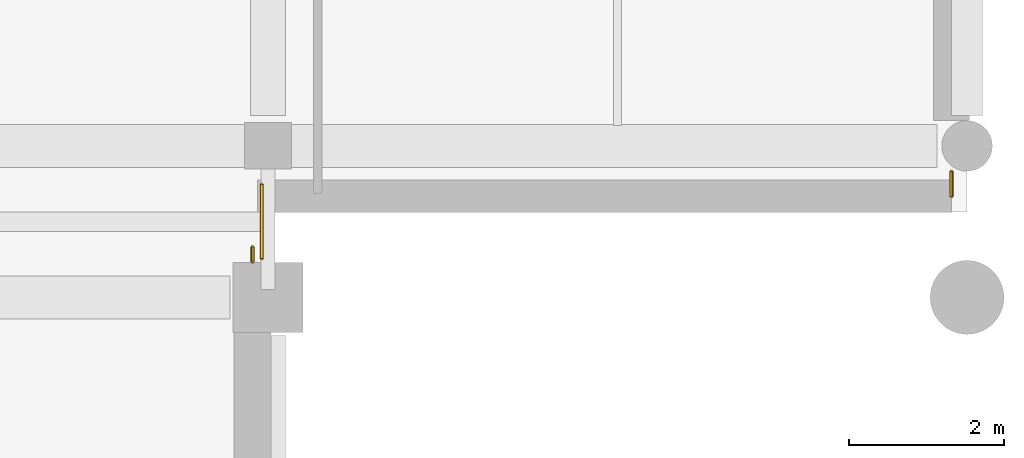
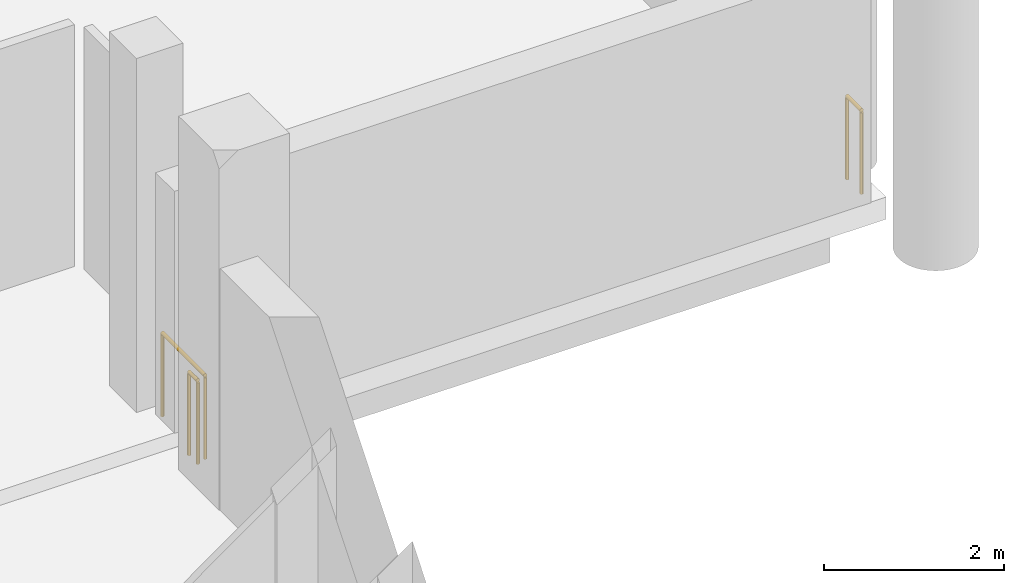
# One storey, part 95 of 100: 3 railings.
"""IFC4 building model written with IfcOpenShell, lengths in metres."""

from ifc_helpers import new_model, si_unit, direction, frame, origin, origin_2d, place, context, subcontext, project, spatial, circle, extrude, material, type_object, element, save


model = new_model("IFC4")

# Units and contexts
model_context = context("Model", 3, precision=1e-05, world=origin(), true_north=direction((0.0, 1.0)))
body_context = subcontext(model_context, "Body", "Model", "MODEL_VIEW")
ifc_project = project(units=[si_unit("LENGTHUNIT", "METRE"), si_unit("AREAUNIT", "SQUARE_METRE"), si_unit("VOLUMEUNIT", "CUBIC_METRE"), si_unit("PLANEANGLEUNIT", "RADIAN"), si_unit("MASSUNIT", "GRAM", prefix="KILO"), si_unit("THERMODYNAMICTEMPERATUREUNIT", "KELVIN"), si_unit("POWERUNIT", "WATT")], contexts=[model_context])

# Site, building, storey
site_placement = place(None, origin())
site = spatial("IfcSite", under=ifc_project, at=site_placement, CompositionType="ELEMENT")
building_placement = place(site_placement, origin())
building = spatial("IfcBuilding", under=site, at=building_placement, Name="Sindhuravela Promenade Stadium", CompositionType="ELEMENT")
storey_placement = place(building_placement, frame((0.0, 0.0, 4.800048828125)))
storey = spatial("IfcBuildingStorey", under=building, at=storey_placement, Name="L01", CompositionType="ELEMENT", Elevation=4.800048828125)

# Railings
ifc_material = material(Name="Architectural wrought steel E350", Category="steel")
railing_type = type_object("IfcRailingType", Name="RL-GRD-1150", PredefinedType="GUARDRAIL", material=ifc_material)
railing_1_placement = place(storey_placement, frame((206.800048828125, 125.550048828125, 0.0)))
element("IfcRailing", 1, at=railing_1_placement, inside=storey, type_object=railing_type, Name="Perimeter edge return guard EAST L01", PredefinedType="GUARDRAIL", context=body_context, shape_type="SweptSolid", body=[
    extrude(circle(Radius=0.02392578125, at=origin_2d()), frame((0.0, 0.0, 1.1259765625), z_axis=(0.0, -1.0, 0.0), x_axis=(1.0, 0.0, 0.0)), (0.0, 0.0, 1.0), 0.195068359375),
    extrude(circle(Radius=0.02099609375, at=origin_2d()), origin(), (0.0, 0.0, 1.0), 1.101806640625),
    extrude(circle(Radius=0.02099609375, at=origin_2d()), frame((0.0, -0.195068359375, 0.0)), (0.0, 0.0, 1.0), 1.101806640625),
])
railing_2_placement = place(storey_placement, frame((215.800048828125, 126.52001953125, 0.0)))
element("IfcRailing", 2, at=railing_2_placement, inside=storey, type_object=railing_type, Name="Perimeter edge return guard Pavilion NE L01", PredefinedType="GUARDRAIL", context=body_context, shape_type="SweptSolid", body=[
    extrude(circle(Radius=0.02392578125, at=origin_2d()), frame((0.0, 0.0, 1.1259765625), z_axis=(0.0, -1.0, 0.0), x_axis=(1.0, 0.0, 0.0)), (0.0, 0.0, 1.0), 0.320068359375),
    extrude(circle(Radius=0.02099609375, at=origin_2d()), origin(), (0.0, 0.0, 1.0), 1.101806640625),
    extrude(circle(Radius=0.02099609375, at=origin_2d()), frame((0.0, -0.320068359375, 0.0)), (0.0, 0.0, 1.0), 1.101806640625),
])
railing_3_placement = place(storey_placement, frame((206.919921875, 125.39990234375, 0.0)))
element("IfcRailing", 3, at=railing_3_placement, inside=storey, type_object=railing_type, Name="Bridge edge guardrail GR01-64", PredefinedType="GUARDRAIL", context=body_context, shape_type="SweptSolid", body=[
    extrude(circle(Radius=0.02392578125, at=origin_2d()), frame((0.0, 0.0, 1.1259765625), z_axis=(0.0, 1.0, 0.0), x_axis=(-1.0, 0.0, 0.0)), (0.0, 0.0, 1.0), 0.9501953125),
    extrude(circle(Radius=0.02099609375, at=origin_2d()), origin(), (0.0, 0.0, 1.0), 1.101806640625),
    extrude(circle(Radius=0.02099609375, at=origin_2d()), frame((0.0, 0.9501953125, 0.0)), (0.0, 0.0, 1.0), 1.101806640625),
])

save(model, "model.ifc")
